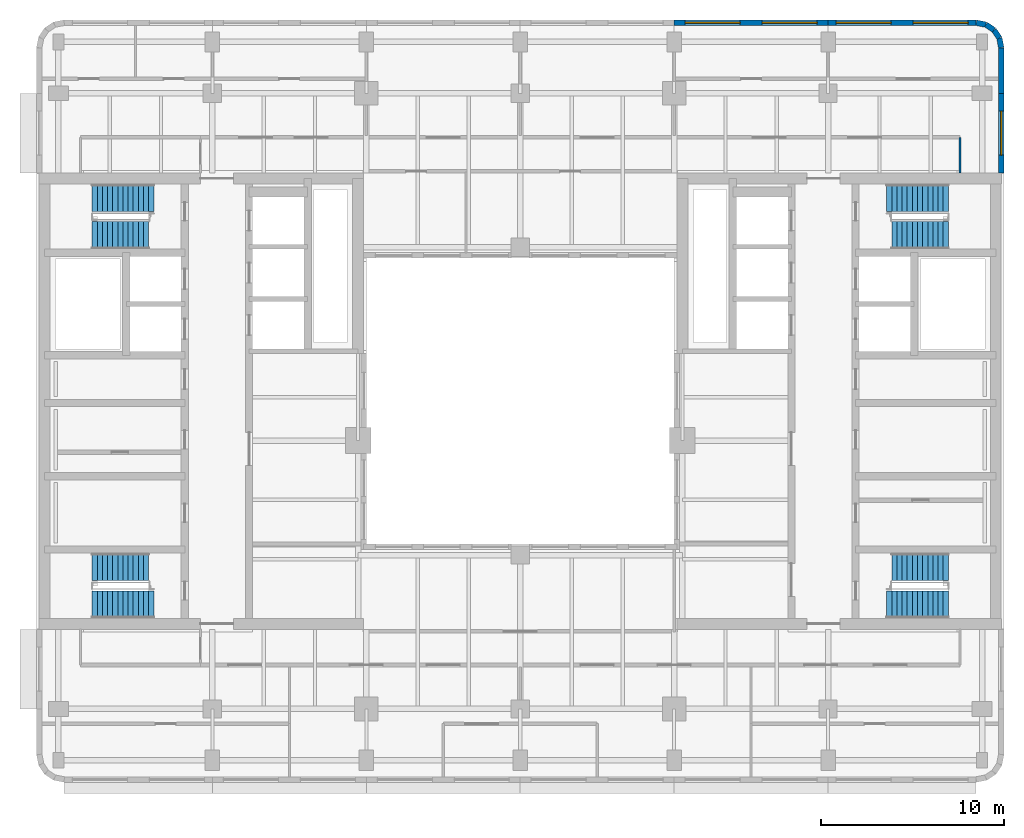
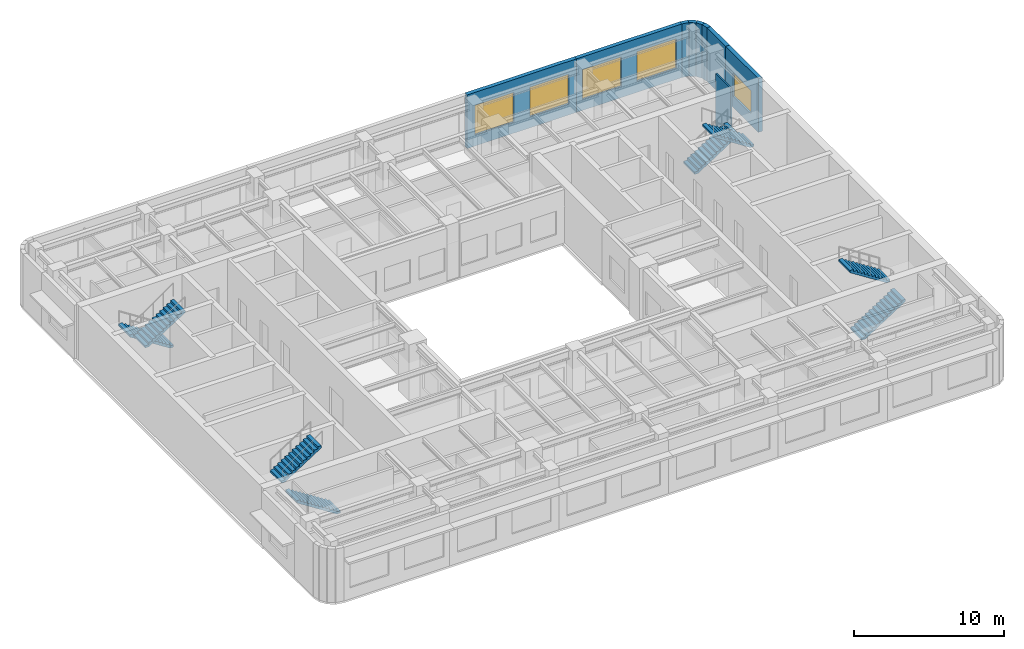
# One storey, part 8 of 11: 9 walls, 8 stair flights, 5 windows, 5 openings, 4 elements without a shape of their own.
"""IFC4 building model written with IfcOpenShell, lengths in metres."""

from ifc_helpers import new_model, si_unit, direction, frame, frame_2d, origin, place, context, subcontext, project, spatial, polyline, rectangle, outline, extrude, material, layer, layer_set, type_object, element, fill, aggregate, save


model = new_model("IFC4")

# Units and contexts
model_context = context("Model", 3, precision=1e-05, world=origin(), true_north=direction((0.0, 1.0)))
body_context = subcontext(model_context, "Body", "Model", "MODEL_VIEW")
ifc_project = project(units=[si_unit("LENGTHUNIT", "METRE"), si_unit("AREAUNIT", "SQUARE_METRE"), si_unit("VOLUMEUNIT", "CUBIC_METRE"), si_unit("PLANEANGLEUNIT", "RADIAN"), si_unit("MASSUNIT", "GRAM", prefix="KILO")], contexts=[model_context])

# Site, building, storey
site_placement = place(None, origin())
site = spatial("IfcSite", under=ifc_project, at=site_placement, CompositionType="ELEMENT")
building_placement = place(site_placement, origin())
building = spatial("IfcBuilding", under=site, at=building_placement, Name="Claustro Exchange Tower", CompositionType="ELEMENT")
storey_placement = place(building_placement, frame((0.0, 0.0, 268.199951171875)))
storey = spatial("IfcBuildingStorey", under=building, at=storey_placement, Name="L61", CompositionType="ELEMENT", Elevation=268.199951171875)

# Wall
ifc_material_1 = material(Name="Laminated glass in aluminium frame", Category="aluminium")
ifc_layer_1 = layer(ifc_material_1, 0.1201171875)
ifc_layer_set_1 = layer_set([ifc_layer_1], Name="Laminated glass in aluminium frame")
wall_type_1 = type_object("IfcWallType", Name="P2 120 glazed partition", PredefinedType="PARTITIONING", material=ifc_layer_set_1)
wall_1_placement = place(storey_placement, frame((49.199951171875, 37.64794921875, 0.0), z_axis=(0.0, 0.0, 1.0), x_axis=(0.0, 1.0, 0.0)))
element("IfcWall", 1, at=wall_1_placement, inside=storey, type_object=wall_type_1, Name="Partition P2 L61", PredefinedType="PARTITIONING", context=body_context, shape_type="SweptSolid", body=[
    extrude(rectangle(XDim=1.9521484375, YDim=0.1201171875, at=frame_2d((0.97607421875, 0.0))), origin(), (0.0, 0.0, 1.0), 4.35009765625),
])

# Wall, openings, windows
ifc_material_2 = material(Name="Concrete HA-40 (C40/50), precast, white cement, acid-etched", Category="concrete")
ifc_layer_2 = layer(ifc_material_2, 0.300048828125)
ifc_layer_set_2 = layer_set([ifc_layer_2], Name="Concrete HA-40 (C40/50), precast, white cement, acid-etched")
wall_type_2 = type_object("IfcWallType", Name="PC1 300 precast concrete pier panel", PredefinedType="SOLIDWALL", material=ifc_layer_set_2)
wall_2_placement = place(storey_placement, frame((33.60009765625, 45.85009765625, 0.0), z_axis=(0.0, 0.0, 1.0), x_axis=(1.0, 0.0, 0.0)))
wall_2 = element("IfcWall", 2, at=wall_2_placement, inside=storey, type_object=wall_type_2, Name="Precast pier panel PC1 L61", PredefinedType="SOLIDWALL", context=body_context, shape_type="SweptSolid", body=[
    extrude(rectangle(XDim=8.39990234375, YDim=0.300048828125, at=frame_2d((4.199951171875, 0.0))), origin(), (0.0, 0.0, 1.0), 4.35009765625),
])
opening_1_placement = place(wall_2_placement, frame((0.60009765625, 0.0, 0.89990234375)))
opening_1 = element("IfcOpeningElement", 3, at=opening_1_placement, cuts=wall_2, Name="Opening W3", PredefinedType="OPENING", context=body_context, shape_type="SweptSolid", body=[
    extrude(rectangle(XDim=3.0, YDim=2.39990234375, at=frame_2d((1.5, 1.199951171875))), frame((0.0, 0.159912109375, 0.0), z_axis=(0.0, -1.0, 0.0), x_axis=(1.0, 0.0, 0.0)), (0.0, 0.0, 1.0), 0.320068359375),
])
opening_2_placement = place(wall_2_placement, frame((4.800048828125, 0.0, 0.89990234375)))
opening_2 = element("IfcOpeningElement", 4, at=opening_2_placement, cuts=wall_2, Name="Opening W3", PredefinedType="OPENING", context=body_context, shape_type="SweptSolid", body=[
    extrude(rectangle(XDim=3.0, YDim=2.39990234375, at=frame_2d((1.5, 1.199951171875))), frame((0.0, 0.159912109375, 0.0), z_axis=(0.0, -1.0, 0.0), x_axis=(1.0, 0.0, 0.0)), (0.0, 0.0, 1.0), 0.320068359375),
])
ifc_material_3 = material(Name="Aluminium frame, clear double glazing", Category="aluminium")
window_type_1 = type_object("IfcWindowType", Name="W3 3000 x 2400 window", PartitioningType="SINGLE_PANEL", PredefinedType="WINDOW", material=ifc_material_3)
window_1_placement = place(opening_1_placement, origin())
window_1 = element("IfcWindow", 5, at=window_1_placement, inside=storey, type_object=window_type_1, Name="Window W3 L61", OverallHeight=2.39990234375, OverallWidth=3.0, PartitioningType="SINGLE_PANEL", PredefinedType="WINDOW", context=body_context, shape_type="SweptSolid", body=[
    extrude(rectangle(XDim=3.0, YDim=2.39990234375, at=frame_2d((1.5, 1.199951171875))), frame((0.0, 0.030029296875, 0.0), z_axis=(0.0, -1.0, 0.0), x_axis=(1.0, 0.0, 0.0)), (0.0, 0.0, 1.0), 0.06005859375),
])
fill(opening_1, window_1)
window_2_placement = place(opening_2_placement, origin())
window_2 = element("IfcWindow", 6, at=window_2_placement, inside=storey, type_object=window_type_1, Name="Window W3 L61", OverallHeight=2.39990234375, OverallWidth=3.0, PartitioningType="SINGLE_PANEL", PredefinedType="WINDOW", context=body_context, shape_type="SweptSolid", body=[
    extrude(rectangle(XDim=3.0, YDim=2.39990234375, at=frame_2d((1.5, 1.199951171875))), frame((0.0, 0.030029296875, 0.0), z_axis=(0.0, -1.0, 0.0), x_axis=(1.0, 0.0, 0.0)), (0.0, 0.0, 1.0), 0.06005859375),
])
fill(opening_2, window_2)

wall_3_placement = place(storey_placement, frame((42.0, 45.85009765625, 0.0), z_axis=(0.0, 0.0, 1.0), x_axis=(1.0, 0.0, 0.0)))
wall_3 = element("IfcWall", 7, at=wall_3_placement, inside=storey, type_object=wall_type_2, Name="Precast pier panel PC1 L61", PredefinedType="SOLIDWALL", context=body_context, shape_type="SweptSolid", body=[
    extrude(rectangle(XDim=8.085205078125, YDim=0.300048828125, at=frame_2d((4.04248046875, 0.0))), origin(), (0.0, 0.0, 1.0), 4.35009765625),
])
opening_3_placement = place(wall_3_placement, frame((0.442626953125, 0.0, 0.89990234375)))
opening_3 = element("IfcOpeningElement", 8, at=opening_3_placement, cuts=wall_3, Name="Opening W3", PredefinedType="OPENING", context=body_context, shape_type="SweptSolid", body=[
    extrude(rectangle(XDim=3.0, YDim=2.39990234375, at=frame_2d((1.5, 1.199951171875))), frame((0.0, 0.159912109375, 0.0), z_axis=(0.0, -1.0, 0.0), x_axis=(1.0, 0.0, 0.0)), (0.0, 0.0, 1.0), 0.320068359375),
])
opening_4_placement = place(wall_3_placement, frame((4.642578125, 0.0, 0.89990234375)))
opening_4 = element("IfcOpeningElement", 9, at=opening_4_placement, cuts=wall_3, Name="Opening W3", PredefinedType="OPENING", context=body_context, shape_type="SweptSolid", body=[
    extrude(rectangle(XDim=3.0, YDim=2.39990234375, at=frame_2d((1.5, 1.199951171875))), frame((0.0, 0.159912109375, 0.0), z_axis=(0.0, -1.0, 0.0), x_axis=(1.0, 0.0, 0.0)), (0.0, 0.0, 1.0), 0.320068359375),
])
window_3_placement = place(opening_3_placement, origin())
window_3 = element("IfcWindow", 10, at=window_3_placement, inside=storey, type_object=window_type_1, Name="Window W3 L61", OverallHeight=2.39990234375, OverallWidth=3.0, PartitioningType="SINGLE_PANEL", PredefinedType="WINDOW", context=body_context, shape_type="SweptSolid", body=[
    extrude(rectangle(XDim=3.0, YDim=2.39990234375, at=frame_2d((1.5, 1.199951171875))), frame((0.0, 0.030029296875, 0.0), z_axis=(0.0, -1.0, 0.0), x_axis=(1.0, 0.0, 0.0)), (0.0, 0.0, 1.0), 0.06005859375),
])
fill(opening_3, window_3)
window_4_placement = place(opening_4_placement, origin())
window_4 = element("IfcWindow", 11, at=window_4_placement, inside=storey, type_object=window_type_1, Name="Window W3 L61", OverallHeight=2.39990234375, OverallWidth=3.0, PartitioningType="SINGLE_PANEL", PredefinedType="WINDOW", context=body_context, shape_type="SweptSolid", body=[
    extrude(rectangle(XDim=3.0, YDim=2.39990234375, at=frame_2d((1.5, 1.199951171875))), frame((0.0, 0.030029296875, 0.0), z_axis=(0.0, -1.0, 0.0), x_axis=(1.0, 0.0, 0.0)), (0.0, 0.0, 1.0), 0.06005859375),
])
fill(opening_4, window_4)

# Walls
wall_4_placement = place(storey_placement, frame((50.085205078125, 45.85009765625, 0.0), z_axis=(0.0, 0.0, 1.0), x_axis=(0.980702050465, -0.1955082817, 0.0)))
element("IfcWall", 12, at=wall_4_placement, inside=storey, type_object=wall_type_2, Name="Precast pier panel PC1 L61", PredefinedType="SOLIDWALL", context=body_context, shape_type="SweptSolid", body=[
    extrude(rectangle(XDim=0.540771484375, YDim=0.300048828125, at=frame_2d((0.2705078125, 0.0))), origin(), (0.0, 0.0, 1.0), 4.35009765625),
])
wall_5_placement = place(storey_placement, frame((50.615478515625, 45.744384765625, 0.0), z_axis=(0.0, 0.0, 1.0), x_axis=(0.831692711774, -0.555236195849, 0.0)))
element("IfcWall", 13, at=wall_5_placement, inside=storey, type_object=wall_type_2, Name="Precast pier panel PC1 L61", PredefinedType="SOLIDWALL", context=body_context, shape_type="SweptSolid", body=[
    extrude(rectangle(XDim=0.525390625, YDim=0.300048828125, at=frame_2d((0.2626953125, 0.0))), origin(), (0.0, 0.0, 1.0), 4.35009765625),
])
wall_6_placement = place(storey_placement, frame((51.052490234375, 45.45263671875, 0.0), z_axis=(0.0, 0.0, 1.0), x_axis=(0.55534295404, -0.831621430339, 0.0)))
element("IfcWall", 14, at=wall_6_placement, inside=storey, type_object=wall_type_2, Name="Precast pier panel PC1 L61", PredefinedType="SOLIDWALL", context=body_context, shape_type="SweptSolid", body=[
    extrude(rectangle(XDim=0.52587890625, YDim=0.300048828125, at=frame_2d((0.262939453125, 0.0))), origin(), (0.0, 0.0, 1.0), 4.35009765625),
])
wall_7_placement = place(storey_placement, frame((51.344482421875, 45.015380859375, 0.0), z_axis=(0.0, 0.0, 1.0), x_axis=(0.195073962632, -0.980788534345, 0.0)))
element("IfcWall", 15, at=wall_7_placement, inside=storey, type_object=wall_type_2, Name="Precast pier panel PC1 L61", PredefinedType="SOLIDWALL", context=body_context, shape_type="SweptSolid", body=[
    extrude(rectangle(XDim=0.540771484375, YDim=0.300048828125, at=frame_2d((0.2705078125, 0.0))), origin(), (0.0, 0.0, 1.0), 4.35009765625),
])
wall_8_placement = place(storey_placement, frame((51.449951171875, 44.485107421875, 0.0), z_axis=(0.0, 0.0, 1.0), x_axis=(0.0, -1.0, 0.0)))
element("IfcWall", 16, at=wall_8_placement, inside=storey, type_object=wall_type_2, Name="Precast pier panel PC1 L61", PredefinedType="SOLIDWALL", context=body_context, shape_type="SweptSolid", body=[
    extrude(rectangle(XDim=2.485107421875, YDim=0.300048828125, at=frame_2d((1.24267578125, 0.0))), origin(), (0.0, 0.0, 1.0), 4.35009765625),
])

# Wall, opening, window
wall_9_placement = place(storey_placement, frame((51.449951171875, 42.0, 0.0), z_axis=(0.0, 0.0, 1.0), x_axis=(0.0, -1.0, 0.0)))
wall_9 = element("IfcWall", 17, at=wall_9_placement, inside=storey, type_object=wall_type_2, Name="Precast pier panel PC1 L61", PredefinedType="SOLIDWALL", context=body_context, shape_type="SweptSolid", body=[
    extrude(rectangle(XDim=4.35009765625, YDim=0.300048828125, at=frame_2d((2.175048828125, 0.0))), origin(), (0.0, 0.0, 1.0), 4.35009765625),
])
opening_5_placement = place(wall_9_placement, frame((0.97509765625, 0.0, 0.89990234375)))
opening_5 = element("IfcOpeningElement", 18, at=opening_5_placement, cuts=wall_9, Name="Opening W2", PredefinedType="OPENING", context=body_context, shape_type="SweptSolid", body=[
    extrude(rectangle(XDim=2.39990234375, YDim=1.89990234375, at=frame_2d((1.199951171875, 0.949951171875))), frame((0.0, 0.159912109375, 0.0), z_axis=(0.0, -1.0, 0.0), x_axis=(1.0, 0.0, 0.0)), (0.0, 0.0, 1.0), 0.320068359375),
])
ifc_material_4 = material(Name="Aluminium frame, clear double glazing", Category="aluminium")
window_type_2 = type_object("IfcWindowType", Name="W2 2400 x 1900 window", PartitioningType="SINGLE_PANEL", PredefinedType="WINDOW", material=ifc_material_4)
window_5_placement = place(opening_5_placement, origin())
window_5 = element("IfcWindow", 19, at=window_5_placement, inside=storey, type_object=window_type_2, Name="Window W2 L61", OverallHeight=1.89990234375, OverallWidth=2.39990234375, PartitioningType="SINGLE_PANEL", PredefinedType="WINDOW", context=body_context, shape_type="SweptSolid", body=[
    extrude(rectangle(XDim=2.39990234375, YDim=1.89990234375, at=frame_2d((1.199951171875, 0.949951171875))), frame((0.0, 0.030029296875, 0.0), z_axis=(0.0, -1.0, 0.0), x_axis=(1.0, 0.0, 0.0)), (0.0, 0.0, 1.0), 0.06005859375),
])
fill(opening_5, window_5)

# Stair, stair flight
ifc_material_5 = material(Name="Concrete HA-30 (C30/37), precast", Category="concrete")
stair_type = type_object("IfcStairType", Name="ST2 half-turn stair, 25 risers of 180", PredefinedType="HALF_TURN_STAIR", material=ifc_material_5)
stair_1_placement = place(storey_placement, origin())
stair_1 = element("IfcStair", 20, at=stair_1_placement, inside=storey, type_object=stair_type, Name="Stair STWA L61", PredefinedType="HALF_TURN_STAIR")
ifc_material_6 = material(Name="Concrete HA-30 (C30/37), precast", Category="concrete")
stair_flight_type_1 = type_object("IfcStairFlightType", Name="SF12B straight flight, 12 risers of 180, 1500 wide", PredefinedType="STRAIGHT", material=ifc_material_6)
stair_flight_1_placement = place(storey_placement, frame((1.840087890625, 16.14990234375, 2.340087890625), z_axis=(0.0, 0.0, 1.0), x_axis=(1.0, 0.0, 0.0)))
stair_flight_1 = element("IfcStairFlight", 21, at=stair_flight_1_placement, type_object=stair_flight_type_1, Name="STWA flight 2", NumberOfRisers=12, NumberOfTreads=11, PredefinedType="STRAIGHT", RiserHeight=0.18, TreadLength=0.28, context=body_context, shape_type="SweptSolid", body=[
    extrude(outline(polyline([(0.0, 0.0), (0.0, 0.179931640625), (0.280029296875, 0.179931640625), (0.280029296875, 0.360107421875), (0.56005859375, 0.360107421875), (0.56005859375, 0.5400390625), (0.840087890625, 0.5400390625), (0.840087890625, 0.719970703125), (1.1201171875, 0.719970703125), (1.1201171875, 0.89990234375), (1.39990234375, 0.89990234375), (1.39990234375, 1.080078125), (1.679931640625, 1.080078125), (1.679931640625, 1.260009765625), (1.9599609375, 1.260009765625), (1.9599609375, 1.43994140625), (2.239990234375, 1.43994140625), (2.239990234375, 1.6201171875), (2.52001953125, 1.6201171875), (2.52001953125, 1.800048828125), (2.800048828125, 1.800048828125), (2.800048828125, 1.97998046875), (3.080078125, 1.97998046875), (3.080078125, 2.159912109375), (3.080078125, 1.8017578125), (0.277099609375, 0.0), (0.0, 0.0)])), frame((0.0, 0.75, 0.0), z_axis=(0.0, -1.0, 0.0), x_axis=(1.0, 0.0, 0.0)), (0.0, 0.0, 1.0), 1.5),
])

stair_2_placement = place(storey_placement, origin())
stair_2 = element("IfcStair", 22, at=stair_2_placement, inside=storey, type_object=stair_type, Name="Stair STWB L61", PredefinedType="HALF_TURN_STAIR")
stair_flight_2_placement = place(storey_placement, frame((1.840087890625, 34.25, 2.340087890625), z_axis=(0.0, 0.0, 1.0), x_axis=(1.0, 0.0, 0.0)))
stair_flight_2 = element("IfcStairFlight", 23, at=stair_flight_2_placement, type_object=stair_flight_type_1, Name="STWB flight 2", NumberOfRisers=12, NumberOfTreads=11, PredefinedType="STRAIGHT", RiserHeight=0.18, TreadLength=0.28, context=body_context, shape_type="SweptSolid", body=[
    extrude(outline(polyline([(0.0, 0.0), (0.0, 0.179931640625), (0.280029296875, 0.179931640625), (0.280029296875, 0.360107421875), (0.56005859375, 0.360107421875), (0.56005859375, 0.5400390625), (0.840087890625, 0.5400390625), (0.840087890625, 0.719970703125), (1.1201171875, 0.719970703125), (1.1201171875, 0.89990234375), (1.39990234375, 0.89990234375), (1.39990234375, 1.080078125), (1.679931640625, 1.080078125), (1.679931640625, 1.260009765625), (1.9599609375, 1.260009765625), (1.9599609375, 1.43994140625), (2.239990234375, 1.43994140625), (2.239990234375, 1.6201171875), (2.52001953125, 1.6201171875), (2.52001953125, 1.800048828125), (2.800048828125, 1.800048828125), (2.800048828125, 1.97998046875), (3.080078125, 1.97998046875), (3.080078125, 2.159912109375), (3.080078125, 1.8017578125), (0.277099609375, 0.0), (0.0, 0.0)])), frame((0.0, 0.75, 0.0), z_axis=(0.0, -1.0, 0.0), x_axis=(1.0, 0.0, 0.0)), (0.0, 0.0, 1.0), 1.5),
])

stair_3_placement = place(storey_placement, origin())
stair_3 = element("IfcStair", 24, at=stair_3_placement, inside=storey, type_object=stair_type, Name="Stair STEA L61", PredefinedType="HALF_TURN_STAIR")
stair_flight_3_placement = place(storey_placement, frame((48.56005859375, 16.14990234375, 2.340087890625), z_axis=(0.0, 0.0, 1.0), x_axis=(-1.0, 0.0, 0.0)))
stair_flight_3 = element("IfcStairFlight", 25, at=stair_flight_3_placement, type_object=stair_flight_type_1, Name="STEA flight 2", NumberOfRisers=12, NumberOfTreads=11, PredefinedType="STRAIGHT", RiserHeight=0.18, TreadLength=0.28, context=body_context, shape_type="SweptSolid", body=[
    extrude(outline(polyline([(0.0, 0.0), (0.0, 0.179931640625), (0.280029296875, 0.179931640625), (0.280029296875, 0.360107421875), (0.56005859375, 0.360107421875), (0.56005859375, 0.5400390625), (0.840087890625, 0.5400390625), (0.840087890625, 0.719970703125), (1.1201171875, 0.719970703125), (1.1201171875, 0.89990234375), (1.39990234375, 0.89990234375), (1.39990234375, 1.080078125), (1.679931640625, 1.080078125), (1.679931640625, 1.260009765625), (1.9599609375, 1.260009765625), (1.9599609375, 1.43994140625), (2.239990234375, 1.43994140625), (2.239990234375, 1.6201171875), (2.52001953125, 1.6201171875), (2.52001953125, 1.800048828125), (2.800048828125, 1.800048828125), (2.800048828125, 1.97998046875), (3.080078125, 1.97998046875), (3.080078125, 2.159912109375), (3.080078125, 1.8017578125), (0.277099609375, 0.0), (0.0, 0.0)])), frame((0.0, 0.75, 0.0), z_axis=(0.0, -1.0, 0.0), x_axis=(1.0, 0.0, 0.0)), (0.0, 0.0, 1.0), 1.5),
])

stair_4_placement = place(storey_placement, origin())
stair_4 = element("IfcStair", 26, at=stair_4_placement, inside=storey, type_object=stair_type, Name="Stair STEB L61", PredefinedType="HALF_TURN_STAIR")
stair_flight_4_placement = place(storey_placement, frame((48.56005859375, 34.25, 2.340087890625), z_axis=(0.0, 0.0, 1.0), x_axis=(-1.0, 0.0, 0.0)))
stair_flight_4 = element("IfcStairFlight", 27, at=stair_flight_4_placement, type_object=stair_flight_type_1, Name="STEB flight 2", NumberOfRisers=12, NumberOfTreads=11, PredefinedType="STRAIGHT", RiserHeight=0.18, TreadLength=0.28, context=body_context, shape_type="SweptSolid", body=[
    extrude(outline(polyline([(0.0, 0.0), (0.0, 0.179931640625), (0.280029296875, 0.179931640625), (0.280029296875, 0.360107421875), (0.56005859375, 0.360107421875), (0.56005859375, 0.5400390625), (0.840087890625, 0.5400390625), (0.840087890625, 0.719970703125), (1.1201171875, 0.719970703125), (1.1201171875, 0.89990234375), (1.39990234375, 0.89990234375), (1.39990234375, 1.080078125), (1.679931640625, 1.080078125), (1.679931640625, 1.260009765625), (1.9599609375, 1.260009765625), (1.9599609375, 1.43994140625), (2.239990234375, 1.43994140625), (2.239990234375, 1.6201171875), (2.52001953125, 1.6201171875), (2.52001953125, 1.800048828125), (2.800048828125, 1.800048828125), (2.800048828125, 1.97998046875), (3.080078125, 1.97998046875), (3.080078125, 2.159912109375), (3.080078125, 1.8017578125), (0.277099609375, 0.0), (0.0, 0.0)])), frame((0.0, 0.75, 0.0), z_axis=(0.0, -1.0, 0.0), x_axis=(1.0, 0.0, 0.0)), (0.0, 0.0, 1.0), 1.5),
])

# Stair flight
ifc_material_7 = material(Name="Concrete HA-30 (C30/37), precast", Category="concrete")
stair_flight_type_2 = type_object("IfcStairFlightType", Name="SF13 straight flight, 13 risers of 180, 1500 wide", PredefinedType="STRAIGHT", material=ifc_material_7)
stair_flight_5_placement = place(storey_placement, frame((5.199951171875, 14.10009765625, 0.0), z_axis=(0.0, 0.0, 1.0), x_axis=(-1.0, 0.0, 0.0)))
stair_flight_5 = element("IfcStairFlight", 28, at=stair_flight_5_placement, type_object=stair_flight_type_2, Name="STWA flight 1", NumberOfRisers=13, NumberOfTreads=12, PredefinedType="STRAIGHT", RiserHeight=0.18, TreadLength=0.28, context=body_context, shape_type="SweptSolid", body=[
    extrude(outline(polyline([(0.0, 0.0), (0.0, 0.179931640625), (0.280029296875, 0.179931640625), (0.280029296875, 0.360107421875), (0.56005859375, 0.360107421875), (0.56005859375, 0.5400390625), (0.840087890625, 0.5400390625), (0.840087890625, 0.719970703125), (1.1201171875, 0.719970703125), (1.1201171875, 0.89990234375), (1.39990234375, 0.89990234375), (1.39990234375, 1.080078125), (1.679931640625, 1.080078125), (1.679931640625, 1.260009765625), (1.9599609375, 1.260009765625), (1.9599609375, 1.43994140625), (2.239990234375, 1.43994140625), (2.239990234375, 1.6201171875), (2.52001953125, 1.6201171875), (2.52001953125, 1.800048828125), (2.800048828125, 1.800048828125), (2.800048828125, 1.97998046875), (3.080078125, 1.97998046875), (3.080078125, 2.159912109375), (3.360107421875, 2.159912109375), (3.360107421875, 2.340087890625), (3.360107421875, 1.981689453125), (0.277099609375, 0.0), (0.0, 0.0)])), frame((0.0, 0.75, 0.0), z_axis=(0.0, -1.0, 0.0), x_axis=(1.0, 0.0, 0.0)), (0.0, 0.0, 1.0), 1.5),
])

aggregate(stair_1, [stair_flight_5, stair_flight_1])

stair_flight_6_placement = place(storey_placement, frame((5.199951171875, 36.300048828125, 0.0), z_axis=(0.0, 0.0, 1.0), x_axis=(-1.0, 0.0, 0.0)))
stair_flight_6 = element("IfcStairFlight", 29, at=stair_flight_6_placement, type_object=stair_flight_type_2, Name="STWB flight 1", NumberOfRisers=13, NumberOfTreads=12, PredefinedType="STRAIGHT", RiserHeight=0.18, TreadLength=0.28, context=body_context, shape_type="SweptSolid", body=[
    extrude(outline(polyline([(0.0, 0.0), (0.0, 0.179931640625), (0.280029296875, 0.179931640625), (0.280029296875, 0.360107421875), (0.56005859375, 0.360107421875), (0.56005859375, 0.5400390625), (0.840087890625, 0.5400390625), (0.840087890625, 0.719970703125), (1.1201171875, 0.719970703125), (1.1201171875, 0.89990234375), (1.39990234375, 0.89990234375), (1.39990234375, 1.080078125), (1.679931640625, 1.080078125), (1.679931640625, 1.260009765625), (1.9599609375, 1.260009765625), (1.9599609375, 1.43994140625), (2.239990234375, 1.43994140625), (2.239990234375, 1.6201171875), (2.52001953125, 1.6201171875), (2.52001953125, 1.800048828125), (2.800048828125, 1.800048828125), (2.800048828125, 1.97998046875), (3.080078125, 1.97998046875), (3.080078125, 2.159912109375), (3.360107421875, 2.159912109375), (3.360107421875, 2.340087890625), (3.360107421875, 1.981689453125), (0.277099609375, 0.0), (0.0, 0.0)])), frame((0.0, 0.75, 0.0), z_axis=(0.0, -1.0, 0.0), x_axis=(1.0, 0.0, 0.0)), (0.0, 0.0, 1.0), 1.5),
])

aggregate(stair_2, [stair_flight_6, stair_flight_2])

stair_flight_7_placement = place(storey_placement, frame((45.199951171875, 14.10009765625, 0.0), z_axis=(0.0, 0.0, 1.0), x_axis=(1.0, 0.0, 0.0)))
stair_flight_7 = element("IfcStairFlight", 30, at=stair_flight_7_placement, type_object=stair_flight_type_2, Name="STEA flight 1", NumberOfRisers=13, NumberOfTreads=12, PredefinedType="STRAIGHT", RiserHeight=0.18, TreadLength=0.28, context=body_context, shape_type="SweptSolid", body=[
    extrude(outline(polyline([(0.0, 0.0), (0.0, 0.179931640625), (0.280029296875, 0.179931640625), (0.280029296875, 0.360107421875), (0.56005859375, 0.360107421875), (0.56005859375, 0.5400390625), (0.840087890625, 0.5400390625), (0.840087890625, 0.719970703125), (1.1201171875, 0.719970703125), (1.1201171875, 0.89990234375), (1.39990234375, 0.89990234375), (1.39990234375, 1.080078125), (1.679931640625, 1.080078125), (1.679931640625, 1.260009765625), (1.9599609375, 1.260009765625), (1.9599609375, 1.43994140625), (2.239990234375, 1.43994140625), (2.239990234375, 1.6201171875), (2.52001953125, 1.6201171875), (2.52001953125, 1.800048828125), (2.800048828125, 1.800048828125), (2.800048828125, 1.97998046875), (3.080078125, 1.97998046875), (3.080078125, 2.159912109375), (3.360107421875, 2.159912109375), (3.360107421875, 2.340087890625), (3.360107421875, 1.981689453125), (0.277099609375, 0.0), (0.0, 0.0)])), frame((0.0, 0.75, 0.0), z_axis=(0.0, -1.0, 0.0), x_axis=(1.0, 0.0, 0.0)), (0.0, 0.0, 1.0), 1.5),
])

aggregate(stair_3, [stair_flight_7, stair_flight_3])

stair_flight_8_placement = place(storey_placement, frame((45.199951171875, 36.300048828125, 0.0), z_axis=(0.0, 0.0, 1.0), x_axis=(1.0, 0.0, 0.0)))
stair_flight_8 = element("IfcStairFlight", 31, at=stair_flight_8_placement, type_object=stair_flight_type_2, Name="STEB flight 1", NumberOfRisers=13, NumberOfTreads=12, PredefinedType="STRAIGHT", RiserHeight=0.18, TreadLength=0.28, context=body_context, shape_type="SweptSolid", body=[
    extrude(outline(polyline([(0.0, 0.0), (0.0, 0.179931640625), (0.280029296875, 0.179931640625), (0.280029296875, 0.360107421875), (0.56005859375, 0.360107421875), (0.56005859375, 0.5400390625), (0.840087890625, 0.5400390625), (0.840087890625, 0.719970703125), (1.1201171875, 0.719970703125), (1.1201171875, 0.89990234375), (1.39990234375, 0.89990234375), (1.39990234375, 1.080078125), (1.679931640625, 1.080078125), (1.679931640625, 1.260009765625), (1.9599609375, 1.260009765625), (1.9599609375, 1.43994140625), (2.239990234375, 1.43994140625), (2.239990234375, 1.6201171875), (2.52001953125, 1.6201171875), (2.52001953125, 1.800048828125), (2.800048828125, 1.800048828125), (2.800048828125, 1.97998046875), (3.080078125, 1.97998046875), (3.080078125, 2.159912109375), (3.360107421875, 2.159912109375), (3.360107421875, 2.340087890625), (3.360107421875, 1.981689453125), (0.277099609375, 0.0), (0.0, 0.0)])), frame((0.0, 0.75, 0.0), z_axis=(0.0, -1.0, 0.0), x_axis=(1.0, 0.0, 0.0)), (0.0, 0.0, 1.0), 1.5),
])

aggregate(stair_4, [stair_flight_8, stair_flight_4])

save(model, "model.ifc")
